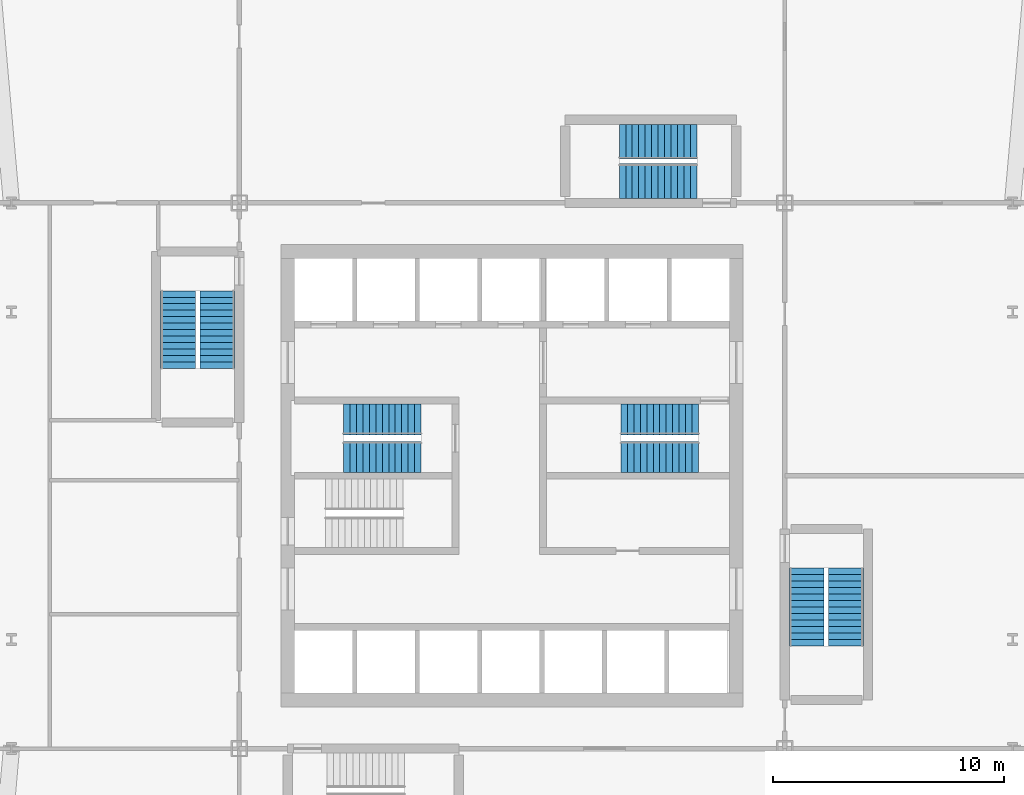
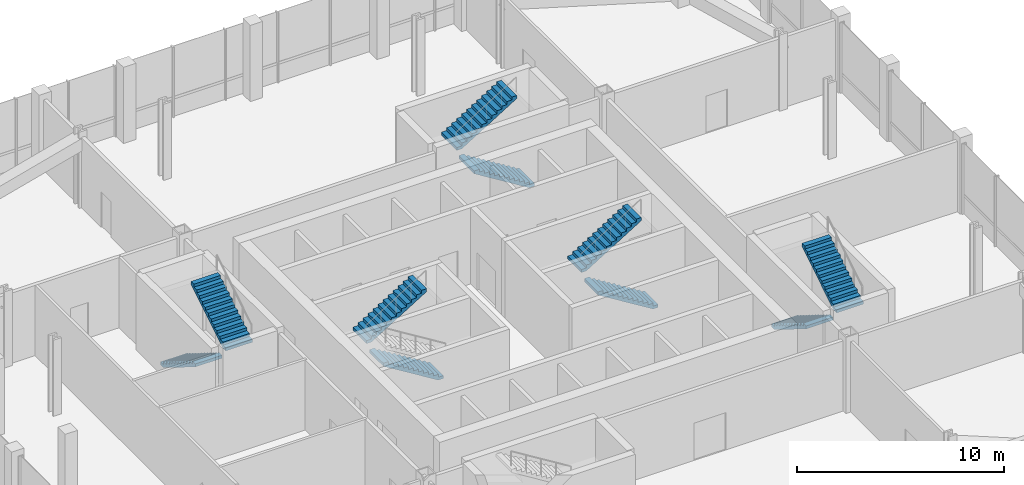
# One storey, part 14 of 15: 10 stair flights, 5 elements without a shape of their own.
"""IFC4 building model written with IfcOpenShell, lengths in metres."""

from ifc_helpers import new_model, si_unit, direction, frame, origin, place, context, subcontext, project, spatial, polyline, outline, extrude, material, type_object, element, aggregate, save


model = new_model("IFC4")

# Units and contexts
model_context = context("Model", 3, precision=1e-05, world=origin(), true_north=direction((0.0, 1.0)))
body_context = subcontext(model_context, "Body", "Model", "MODEL_VIEW")
ifc_project = project(units=[si_unit("LENGTHUNIT", "METRE"), si_unit("AREAUNIT", "SQUARE_METRE"), si_unit("VOLUMEUNIT", "CUBIC_METRE"), si_unit("PLANEANGLEUNIT", "RADIAN"), si_unit("MASSUNIT", "GRAM", prefix="KILO")], contexts=[model_context])

# Site, building, storey
site_placement = place(None, origin())
site = spatial("IfcSite", under=ifc_project, at=site_placement, CompositionType="ELEMENT")
building_placement = place(site_placement, origin())
building = spatial("IfcBuilding", under=site, at=building_placement, Name="Turquesa Mirador Hotel Tower", CompositionType="ELEMENT")
storey_placement = place(building_placement, frame((0.0, 0.0, 16.0)))
storey = spatial("IfcBuildingStorey", under=building, at=storey_placement, Name="L03", CompositionType="ELEMENT", Elevation=16.0)

# Stair, stair flights
ifc_material_1 = material(Name="Concrete C35/45", Category="concrete")
stair_type_1 = type_object("IfcStairType", Name="ESCAPE STAIR CORE", PredefinedType="HALF_TURN_STAIR", material=ifc_material_1)
stair_1_placement = place(storey_placement, origin())
stair_1 = element("IfcStair", 1, at=stair_1_placement, inside=storey, type_object=stair_type_1, Name="Stair ST1 L03 to L04", PredefinedType="HALF_TURN_STAIR")
ifc_material_2 = material(Name="Concrete C35/45 precast flight", Category="concrete")
stair_flight_type_1 = type_object("IfcStairFlightType", Name="STAIR FLIGHT 1330", PredefinedType="STRAIGHT", material=ifc_material_2)
stair_flight_1_placement = place(storey_placement, frame((51.070068359375, 45.81494140625, 0.0), z_axis=(0.0, 0.0, 1.0), x_axis=(-1.0, 0.0, 0.0)))
stair_flight_1 = element("IfcStairFlight", 2, at=stair_flight_1_placement, type_object=stair_flight_type_1, Name="ST1 flight 1", NumberOfRisers=13, NumberOfTreads=12, PredefinedType="STRAIGHT", RiserHeight=0.173076923, TreadLength=0.28, context=body_context, shape_type="SweptSolid", body=[
    extrude(outline(polyline([(0.0, 0.0), (0.0, 0.173095703125), (0.280029296875, 0.173095703125), (0.280029296875, 0.34619140625), (0.56005859375, 0.34619140625), (0.56005859375, 0.519287109375), (0.840087890625, 0.519287109375), (0.840087890625, 0.6923828125), (1.1201171875, 0.6923828125), (1.1201171875, 0.865478515625), (1.39990234375, 0.865478515625), (1.39990234375, 1.03857421875), (1.679931640625, 1.03857421875), (1.679931640625, 1.21142578125), (1.9599609375, 1.21142578125), (1.9599609375, 1.384521484375), (2.239990234375, 1.384521484375), (2.239990234375, 1.5576171875), (2.52001953125, 1.5576171875), (2.52001953125, 1.730712890625), (2.800048828125, 1.730712890625), (2.800048828125, 1.90380859375), (3.080078125, 1.90380859375), (3.080078125, 2.076904296875), (3.360107421875, 2.076904296875), (3.360107421875, 2.25), (3.360107421875, 1.900634765625), (0.28515625, 0.0), (0.0, 0.0)])), frame((0.0, 0.6650390625, 0.0), z_axis=(0.0, -1.0, 0.0), x_axis=(1.0, 0.0, 0.0)), (0.0, 0.0, 1.0), 1.330078125),
])
stair_flight_2_placement = place(storey_placement, frame((47.7099609375, 47.43505859375, 2.25), z_axis=(0.0, 0.0, 1.0), x_axis=(1.0, 0.0, 0.0)))
stair_flight_2 = element("IfcStairFlight", 3, at=stair_flight_2_placement, type_object=stair_flight_type_1, Name="ST1 flight 2", NumberOfRisers=13, NumberOfTreads=12, PredefinedType="STRAIGHT", RiserHeight=0.173076923, TreadLength=0.28, context=body_context, shape_type="SweptSolid", body=[
    extrude(outline(polyline([(0.0, 0.0), (0.0, 0.173095703125), (0.280029296875, 0.173095703125), (0.280029296875, 0.34619140625), (0.56005859375, 0.34619140625), (0.56005859375, 0.519287109375), (0.840087890625, 0.519287109375), (0.840087890625, 0.6923828125), (1.1201171875, 0.6923828125), (1.1201171875, 0.865478515625), (1.39990234375, 0.865478515625), (1.39990234375, 1.03857421875), (1.679931640625, 1.03857421875), (1.679931640625, 1.21142578125), (1.9599609375, 1.21142578125), (1.9599609375, 1.384521484375), (2.239990234375, 1.384521484375), (2.239990234375, 1.5576171875), (2.52001953125, 1.5576171875), (2.52001953125, 1.730712890625), (2.800048828125, 1.730712890625), (2.800048828125, 1.90380859375), (3.080078125, 1.90380859375), (3.080078125, 2.076904296875), (3.360107421875, 2.076904296875), (3.360107421875, 2.25), (3.360107421875, 1.900634765625), (0.28515625, 0.0), (0.0, 0.0)])), frame((0.0, 0.6650390625, 0.0), z_axis=(0.0, -1.0, 0.0), x_axis=(1.0, 0.0, 0.0)), (0.0, 0.0, 1.0), 1.330078125),
])
aggregate(stair_1, [stair_flight_1, stair_flight_2])

stair_2_placement = place(storey_placement, origin())
stair_2 = element("IfcStair", 4, at=stair_2_placement, inside=storey, type_object=stair_type_1, Name="Stair ST3 L03 to L04", PredefinedType="HALF_TURN_STAIR")
stair_flight_3_placement = place(storey_placement, frame((63.070068359375, 45.81494140625, 0.0), z_axis=(0.0, 0.0, 1.0), x_axis=(-1.0, 0.0, 0.0)))
stair_flight_3 = element("IfcStairFlight", 5, at=stair_flight_3_placement, type_object=stair_flight_type_1, Name="ST3 flight 1", NumberOfRisers=13, NumberOfTreads=12, PredefinedType="STRAIGHT", RiserHeight=0.173076923, TreadLength=0.28, context=body_context, shape_type="SweptSolid", body=[
    extrude(outline(polyline([(0.0, 0.0), (0.0, 0.173095703125), (0.280029296875, 0.173095703125), (0.280029296875, 0.34619140625), (0.56005859375, 0.34619140625), (0.56005859375, 0.519287109375), (0.840087890625, 0.519287109375), (0.840087890625, 0.6923828125), (1.1201171875, 0.6923828125), (1.1201171875, 0.865478515625), (1.39990234375, 0.865478515625), (1.39990234375, 1.03857421875), (1.679931640625, 1.03857421875), (1.679931640625, 1.21142578125), (1.9599609375, 1.21142578125), (1.9599609375, 1.384521484375), (2.239990234375, 1.384521484375), (2.239990234375, 1.5576171875), (2.52001953125, 1.5576171875), (2.52001953125, 1.730712890625), (2.800048828125, 1.730712890625), (2.800048828125, 1.90380859375), (3.080078125, 1.90380859375), (3.080078125, 2.076904296875), (3.360107421875, 2.076904296875), (3.360107421875, 2.25), (3.360107421875, 1.900634765625), (0.28515625, 0.0), (0.0, 0.0)])), frame((0.0, 0.6650390625, 0.0), z_axis=(0.0, -1.0, 0.0), x_axis=(1.0, 0.0, 0.0)), (0.0, 0.0, 1.0), 1.330078125),
])
stair_flight_4_placement = place(storey_placement, frame((59.7099609375, 47.43505859375, 2.25), z_axis=(0.0, 0.0, 1.0), x_axis=(1.0, 0.0, 0.0)))
stair_flight_4 = element("IfcStairFlight", 6, at=stair_flight_4_placement, type_object=stair_flight_type_1, Name="ST3 flight 2", NumberOfRisers=13, NumberOfTreads=12, PredefinedType="STRAIGHT", RiserHeight=0.173076923, TreadLength=0.28, context=body_context, shape_type="SweptSolid", body=[
    extrude(outline(polyline([(0.0, 0.0), (0.0, 0.173095703125), (0.280029296875, 0.173095703125), (0.280029296875, 0.34619140625), (0.56005859375, 0.34619140625), (0.56005859375, 0.519287109375), (0.840087890625, 0.519287109375), (0.840087890625, 0.6923828125), (1.1201171875, 0.6923828125), (1.1201171875, 0.865478515625), (1.39990234375, 0.865478515625), (1.39990234375, 1.03857421875), (1.679931640625, 1.03857421875), (1.679931640625, 1.21142578125), (1.9599609375, 1.21142578125), (1.9599609375, 1.384521484375), (2.239990234375, 1.384521484375), (2.239990234375, 1.5576171875), (2.52001953125, 1.5576171875), (2.52001953125, 1.730712890625), (2.800048828125, 1.730712890625), (2.800048828125, 1.90380859375), (3.080078125, 1.90380859375), (3.080078125, 2.076904296875), (3.360107421875, 2.076904296875), (3.360107421875, 2.25), (3.360107421875, 1.900634765625), (0.28515625, 0.0), (0.0, 0.0)])), frame((0.0, 0.6650390625, 0.0), z_axis=(0.0, -1.0, 0.0), x_axis=(1.0, 0.0, 0.0)), (0.0, 0.0, 1.0), 1.330078125),
])
aggregate(stair_2, [stair_flight_3, stair_flight_4])

ifc_material_3 = material(Name="Concrete C35/45", Category="concrete")
stair_type_2 = type_object("IfcStairType", Name="ESCAPE STAIR PODIUM", PredefinedType="HALF_TURN_STAIR", material=ifc_material_3)
stair_3_placement = place(storey_placement, origin())
stair_3 = element("IfcStair", 7, at=stair_3_placement, inside=storey, type_object=stair_type_2, Name="Stair PS1 L03 to L04", PredefinedType="HALF_TURN_STAIR")
ifc_material_4 = material(Name="Concrete C35/45 precast flight", Category="concrete")
stair_flight_type_2 = type_object("IfcStairFlightType", Name="STAIR FLIGHT 1500", PredefinedType="STRAIGHT", material=ifc_material_4)
stair_flight_5_placement = place(storey_placement, frame((63.0, 57.75, 0.0), z_axis=(0.0, 0.0, 1.0), x_axis=(-1.0, 0.0, 0.0)))
stair_flight_5 = element("IfcStairFlight", 8, at=stair_flight_5_placement, type_object=stair_flight_type_2, Name="PS1 flight 1", NumberOfRisers=13, NumberOfTreads=12, PredefinedType="STRAIGHT", RiserHeight=0.173076923, TreadLength=0.28, context=body_context, shape_type="SweptSolid", body=[
    extrude(outline(polyline([(0.0, 0.0), (0.0, 0.173095703125), (0.280029296875, 0.173095703125), (0.280029296875, 0.34619140625), (0.56005859375, 0.34619140625), (0.56005859375, 0.519287109375), (0.840087890625, 0.519287109375), (0.840087890625, 0.6923828125), (1.1201171875, 0.6923828125), (1.1201171875, 0.865478515625), (1.39990234375, 0.865478515625), (1.39990234375, 1.03857421875), (1.679931640625, 1.03857421875), (1.679931640625, 1.21142578125), (1.9599609375, 1.21142578125), (1.9599609375, 1.384521484375), (2.239990234375, 1.384521484375), (2.239990234375, 1.5576171875), (2.52001953125, 1.5576171875), (2.52001953125, 1.730712890625), (2.800048828125, 1.730712890625), (2.800048828125, 1.90380859375), (3.080078125, 1.90380859375), (3.080078125, 2.076904296875), (3.360107421875, 2.076904296875), (3.360107421875, 2.25), (3.360107421875, 1.900634765625), (0.28515625, 0.0), (0.0, 0.0)])), frame((0.0, 0.75, 0.0), z_axis=(0.0, -1.0, 0.0), x_axis=(1.0, 0.0, 0.0)), (0.0, 0.0, 1.0), 1.5),
])
stair_flight_6_placement = place(storey_placement, frame((59.639892578125, 59.449951171875, 2.25), z_axis=(0.0, 0.0, 1.0), x_axis=(1.0, 0.0, 0.0)))
stair_flight_6 = element("IfcStairFlight", 9, at=stair_flight_6_placement, type_object=stair_flight_type_2, Name="PS1 flight 2", NumberOfRisers=13, NumberOfTreads=12, PredefinedType="STRAIGHT", RiserHeight=0.173076923, TreadLength=0.28, context=body_context, shape_type="SweptSolid", body=[
    extrude(outline(polyline([(0.0, 0.0), (0.0, 0.173095703125), (0.280029296875, 0.173095703125), (0.280029296875, 0.34619140625), (0.56005859375, 0.34619140625), (0.56005859375, 0.519287109375), (0.840087890625, 0.519287109375), (0.840087890625, 0.6923828125), (1.1201171875, 0.6923828125), (1.1201171875, 0.865478515625), (1.39990234375, 0.865478515625), (1.39990234375, 1.03857421875), (1.679931640625, 1.03857421875), (1.679931640625, 1.21142578125), (1.9599609375, 1.21142578125), (1.9599609375, 1.384521484375), (2.239990234375, 1.384521484375), (2.239990234375, 1.5576171875), (2.52001953125, 1.5576171875), (2.52001953125, 1.730712890625), (2.800048828125, 1.730712890625), (2.800048828125, 1.90380859375), (3.080078125, 1.90380859375), (3.080078125, 2.076904296875), (3.360107421875, 2.076904296875), (3.360107421875, 2.25), (3.360107421875, 1.900634765625), (0.28515625, 0.0), (0.0, 0.0)])), frame((0.0, 0.75, 0.0), z_axis=(0.0, -1.0, 0.0), x_axis=(1.0, 0.0, 0.0)), (0.0, 0.0, 1.0), 1.5),
])
aggregate(stair_3, [stair_flight_5, stair_flight_6])

stair_4_placement = place(storey_placement, origin())
stair_4 = element("IfcStair", 10, at=stair_4_placement, inside=storey, type_object=stair_type_2, Name="Stair PS3 L03 to L04", PredefinedType="HALF_TURN_STAIR")
stair_flight_7_placement = place(storey_placement, frame((67.75, 41.0, 0.0), z_axis=(0.0, 0.0, 1.0), x_axis=(0.0, -1.0, 0.0)))
stair_flight_7 = element("IfcStairFlight", 11, at=stair_flight_7_placement, type_object=stair_flight_type_2, Name="PS3 flight 1", NumberOfRisers=13, NumberOfTreads=12, PredefinedType="STRAIGHT", RiserHeight=0.173076923, TreadLength=0.28, context=body_context, shape_type="SweptSolid", body=[
    extrude(outline(polyline([(0.0, 0.0), (0.0, 0.173095703125), (0.280029296875, 0.173095703125), (0.280029296875, 0.34619140625), (0.56005859375, 0.34619140625), (0.56005859375, 0.519287109375), (0.840087890625, 0.519287109375), (0.840087890625, 0.6923828125), (1.1201171875, 0.6923828125), (1.1201171875, 0.865478515625), (1.39990234375, 0.865478515625), (1.39990234375, 1.03857421875), (1.679931640625, 1.03857421875), (1.679931640625, 1.21142578125), (1.9599609375, 1.21142578125), (1.9599609375, 1.384521484375), (2.239990234375, 1.384521484375), (2.239990234375, 1.5576171875), (2.52001953125, 1.5576171875), (2.52001953125, 1.730712890625), (2.800048828125, 1.730712890625), (2.800048828125, 1.90380859375), (3.080078125, 1.90380859375), (3.080078125, 2.076904296875), (3.360107421875, 2.076904296875), (3.360107421875, 2.25), (3.360107421875, 1.900634765625), (0.28515625, 0.0), (0.0, 0.0)])), frame((0.0, 0.75, 0.0), z_axis=(0.0, -1.0, 0.0), x_axis=(1.0, 0.0, 0.0)), (0.0, 0.0, 1.0), 1.5),
])
stair_flight_8_placement = place(storey_placement, frame((69.449951171875, 37.639892578125, 2.25), z_axis=(0.0, 0.0, 1.0), x_axis=(0.0, 1.0, 0.0)))
stair_flight_8 = element("IfcStairFlight", 12, at=stair_flight_8_placement, type_object=stair_flight_type_2, Name="PS3 flight 2", NumberOfRisers=13, NumberOfTreads=12, PredefinedType="STRAIGHT", RiserHeight=0.173076923, TreadLength=0.28, context=body_context, shape_type="SweptSolid", body=[
    extrude(outline(polyline([(0.0, 0.0), (0.0, 0.173095703125), (0.280029296875, 0.173095703125), (0.280029296875, 0.34619140625), (0.56005859375, 0.34619140625), (0.56005859375, 0.519287109375), (0.840087890625, 0.519287109375), (0.840087890625, 0.6923828125), (1.1201171875, 0.6923828125), (1.1201171875, 0.865478515625), (1.39990234375, 0.865478515625), (1.39990234375, 1.03857421875), (1.679931640625, 1.03857421875), (1.679931640625, 1.21142578125), (1.9599609375, 1.21142578125), (1.9599609375, 1.384521484375), (2.239990234375, 1.384521484375), (2.239990234375, 1.5576171875), (2.52001953125, 1.5576171875), (2.52001953125, 1.730712890625), (2.800048828125, 1.730712890625), (2.800048828125, 1.90380859375), (3.080078125, 1.90380859375), (3.080078125, 2.076904296875), (3.360107421875, 2.076904296875), (3.360107421875, 2.25), (3.360107421875, 1.900634765625), (0.28515625, 0.0), (0.0, 0.0)])), frame((0.0, 0.75, 0.0), z_axis=(0.0, -1.0, 0.0), x_axis=(1.0, 0.0, 0.0)), (0.0, 0.0, 1.0), 1.5),
])
aggregate(stair_4, [stair_flight_7, stair_flight_8])

stair_5_placement = place(storey_placement, origin())
stair_5 = element("IfcStair", 13, at=stair_5_placement, inside=storey, type_object=stair_type_2, Name="Stair PS4 L03 to L04", PredefinedType="HALF_TURN_STAIR")
stair_flight_9_placement = place(storey_placement, frame((40.550048828125, 53.0, 0.0), z_axis=(0.0, 0.0, 1.0), x_axis=(0.0, -1.0, 0.0)))
stair_flight_9 = element("IfcStairFlight", 14, at=stair_flight_9_placement, type_object=stair_flight_type_2, Name="PS4 flight 1", NumberOfRisers=13, NumberOfTreads=12, PredefinedType="STRAIGHT", RiserHeight=0.173076923, TreadLength=0.28, context=body_context, shape_type="SweptSolid", body=[
    extrude(outline(polyline([(0.0, 0.0), (0.0, 0.173095703125), (0.280029296875, 0.173095703125), (0.280029296875, 0.34619140625), (0.56005859375, 0.34619140625), (0.56005859375, 0.519287109375), (0.840087890625, 0.519287109375), (0.840087890625, 0.6923828125), (1.1201171875, 0.6923828125), (1.1201171875, 0.865478515625), (1.39990234375, 0.865478515625), (1.39990234375, 1.03857421875), (1.679931640625, 1.03857421875), (1.679931640625, 1.21142578125), (1.9599609375, 1.21142578125), (1.9599609375, 1.384521484375), (2.239990234375, 1.384521484375), (2.239990234375, 1.5576171875), (2.52001953125, 1.5576171875), (2.52001953125, 1.730712890625), (2.800048828125, 1.730712890625), (2.800048828125, 1.90380859375), (3.080078125, 1.90380859375), (3.080078125, 2.076904296875), (3.360107421875, 2.076904296875), (3.360107421875, 2.25), (3.360107421875, 1.900634765625), (0.28515625, 0.0), (0.0, 0.0)])), frame((0.0, 0.75, 0.0), z_axis=(0.0, -1.0, 0.0), x_axis=(1.0, 0.0, 0.0)), (0.0, 0.0, 1.0), 1.5),
])
stair_flight_10_placement = place(storey_placement, frame((42.25, 49.639892578125, 2.25), z_axis=(0.0, 0.0, 1.0), x_axis=(0.0, 1.0, 0.0)))
stair_flight_10 = element("IfcStairFlight", 15, at=stair_flight_10_placement, type_object=stair_flight_type_2, Name="PS4 flight 2", NumberOfRisers=13, NumberOfTreads=12, PredefinedType="STRAIGHT", RiserHeight=0.173076923, TreadLength=0.28, context=body_context, shape_type="SweptSolid", body=[
    extrude(outline(polyline([(0.0, 0.0), (0.0, 0.173095703125), (0.280029296875, 0.173095703125), (0.280029296875, 0.34619140625), (0.56005859375, 0.34619140625), (0.56005859375, 0.519287109375), (0.840087890625, 0.519287109375), (0.840087890625, 0.6923828125), (1.1201171875, 0.6923828125), (1.1201171875, 0.865478515625), (1.39990234375, 0.865478515625), (1.39990234375, 1.03857421875), (1.679931640625, 1.03857421875), (1.679931640625, 1.21142578125), (1.9599609375, 1.21142578125), (1.9599609375, 1.384521484375), (2.239990234375, 1.384521484375), (2.239990234375, 1.5576171875), (2.52001953125, 1.5576171875), (2.52001953125, 1.730712890625), (2.800048828125, 1.730712890625), (2.800048828125, 1.90380859375), (3.080078125, 1.90380859375), (3.080078125, 2.076904296875), (3.360107421875, 2.076904296875), (3.360107421875, 2.25), (3.360107421875, 1.900634765625), (0.28515625, 0.0), (0.0, 0.0)])), frame((0.0, 0.75, 0.0), z_axis=(0.0, -1.0, 0.0), x_axis=(1.0, 0.0, 0.0)), (0.0, 0.0, 1.0), 1.5),
])
aggregate(stair_5, [stair_flight_9, stair_flight_10])

save(model, "model.ifc")
